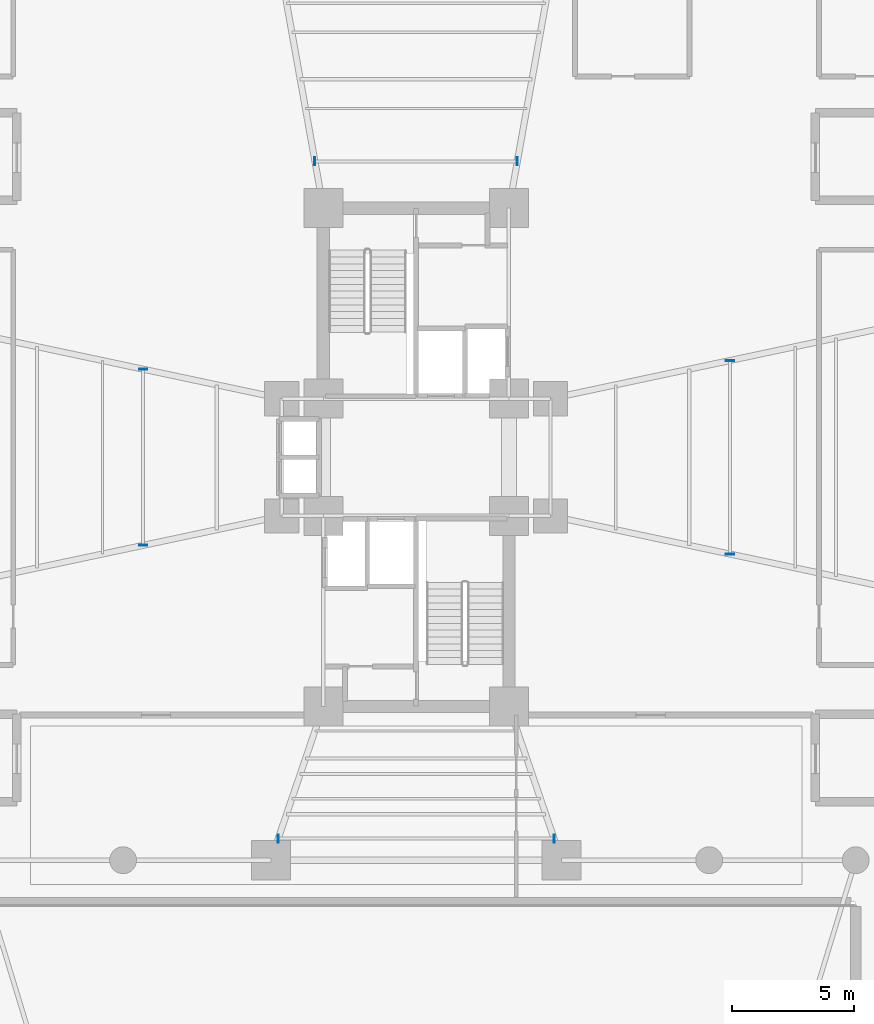
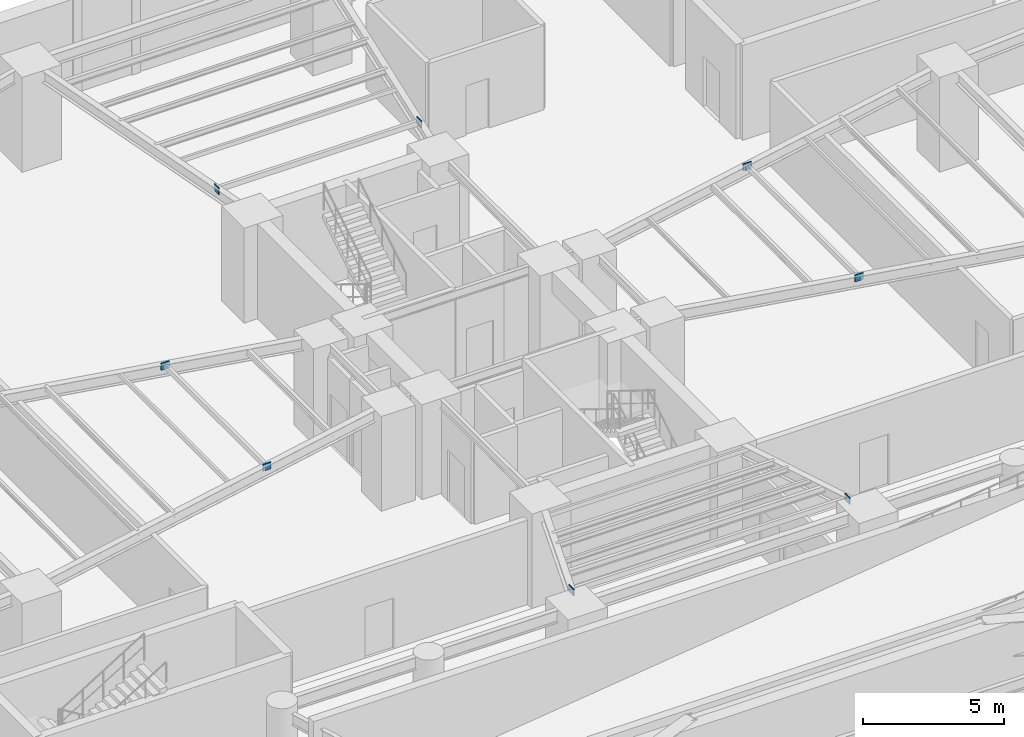
# One storey, part 6 of 14: 8 plates.
"""IFC4 building model written with IfcOpenShell, lengths in metres."""

from ifc_helpers import new_model, si_unit, direction, frame, origin, origin_2d, place, context, subcontext, project, spatial, rectangle, extrude, source, transform, mapped, material, type_object, element, save


model = new_model("IFC4")

# Units and contexts
model_context = context("Model", 3, precision=1e-05, world=origin(), true_north=direction((0.0, 1.0)))
body_context = subcontext(model_context, "Body", "Model", "MODEL_VIEW")
ifc_project = project(units=[si_unit("LENGTHUNIT", "METRE"), si_unit("AREAUNIT", "SQUARE_METRE"), si_unit("VOLUMEUNIT", "CUBIC_METRE"), si_unit("PLANEANGLEUNIT", "RADIAN"), si_unit("MASSUNIT", "GRAM", prefix="KILO")], contexts=[model_context])

# Site, building, storey
site_placement = place(None, origin())
site = spatial("IfcSite", under=ifc_project, at=site_placement, CompositionType="ELEMENT")
building_placement = place(site_placement, origin())
building = spatial("IfcBuilding", under=site, at=building_placement, Name="Sahyath Konkavel Grand Hotel", CompositionType="ELEMENT")
storey_placement = place(building_placement, frame((0.0, 0.0, -4.5)))
storey = spatial("IfcBuildingStorey", under=building, at=storey_placement, Name="B1", CompositionType="ELEMENT", Elevation=-4.5)

# Plates
ifc_material = material(Name="Steel E450", Category="steel")
plate_type = type_object("IfcPlateType", Name="GUSSET-END-35", PredefinedType="USERDEFINED", material=ifc_material)
shared_shape = source(origin(), body_context, "Body", "SweptSolid", [
    extrude(rectangle(XDim=0.0400390625, YDim=0.340087890625, at=origin_2d()), origin(), (0.0, 0.0, 1.0), 0.300048828125),
])
for number, where, z_axis, x_axis, name in (
    (1, (12.847900390625, -3.9619140625, 3.83984375), (0.0, 0.0, 1.0), (0.0, 1.0, 0.0), "B1 Sub-Beam E-3 End Cap A"),
    (2, (12.847900390625, 3.9619140625, 3.83984375), (0.0, 0.0, 1.0), (0.0, 1.0, 0.0), "B1 Sub-Beam E-3 End Cap B"),
    (3, (-11.177978515625, 3.60693359375, 3.83984375), (0.0, 0.0, 1.0), (0.0, -1.0, 0.0), "B1 Sub-Beam W-2 End Cap A"),
    (4, (-11.177978515625, -3.60693359375, 3.83984375), (0.0, 0.0, 1.0), (0.0, -1.0, 0.0), "B1 Sub-Beam W-2 End Cap B"),
    (5, (4.14404296875, 12.1201171875, 3.83984375), (0.0, 0.0, 1.0), (-1.0, 0.0, 0.0), "B1 Sub-Beam N-1 End Cap A"),
    (6, (-4.14404296875, 12.1201171875, 3.83984375), (0.0, 0.0, 1.0), (-1.0, 0.0, 0.0), "B1 Sub-Beam N-1 End Cap B"),
    (7, (-5.64892578125, -15.617919921875, 3.83984375), (0.0, 0.0, 1.0), (1.0, 0.0, 0.0), "B1 Sub-Beam S-6 End Cap A"),
    (8, (5.64892578125, -15.617919921875, 3.83984375), (0.0, 0.0, 1.0), (1.0, 0.0, 0.0), "B1 Sub-Beam S-6 End Cap B"),
):
    element("IfcPlate", number, at=place(storey_placement, frame(where, z_axis=z_axis, x_axis=x_axis)), inside=storey, type_object=plate_type, Name=name, ObjectType="GUSSET_PLATE", PredefinedType="USERDEFINED", context=body_context, shape_type="MappedRepresentation", body=[
        mapped(shared_shape, transform((0.0, 0.0, 0.0), scale=1.0)),
    ])

save(model, "model.ifc")
